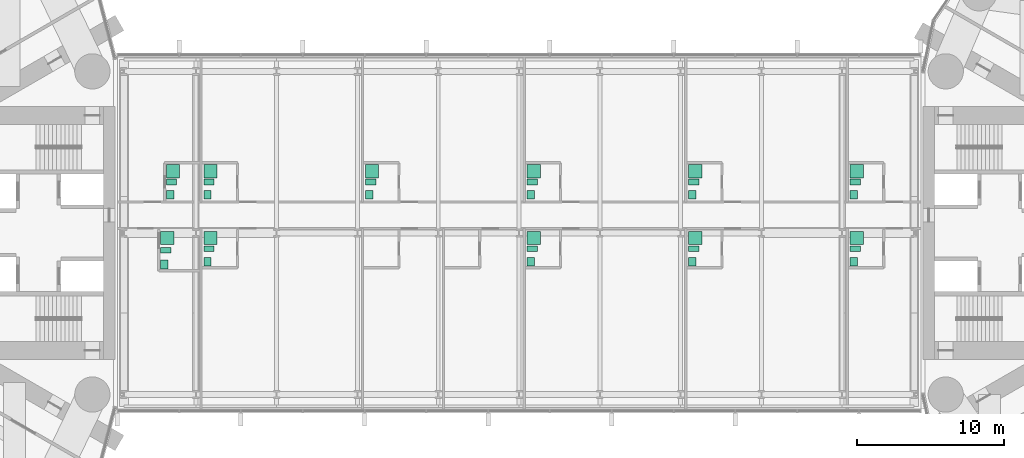
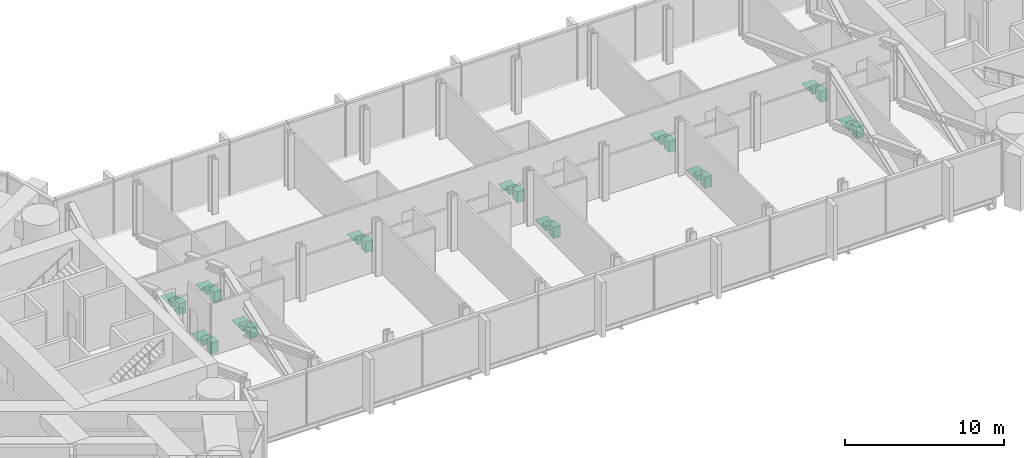
# One storey, part 23 of 23: 13 sanitary terminals.
"""IFC4 building model written with IfcOpenShell, lengths in metres."""

import ifcopenshell
import ifcopenshell.guid

model = None  # the IFC model being written
_history = None  # IfcOwnerHistory: only IFC2X3 demands one
_inside = {}  # id of a spatial element -> (the spatial element, [elements in it])
_under = {}  # id of a project, library or spatial element -> (it, [spatial elements below it])
_declared = {}  # id of a project -> (the project, [libraries it declares])
_typed = {}  # id of a type object -> (the type object, [elements of that type])
_made_of = {}  # id of a material, layer set ... -> (it, [elements and type objects made of it])


def new_model(schema):
    """Start an empty IFC model of exactly this schema.

    Asked for "IFC4X3", IfcOpenShell would pick the latest addendum, in which some entities
    have other attributes; the version numbers below select the first issue.
    IFC2X3 requires an IfcOwnerHistory on every rooted entity: one is made here for all.
    """
    global model, _history
    if schema == "IFC4X3":
        model = ifcopenshell.file(schema_version=(4, 3, 0, 0))
    else:
        model = ifcopenshell.file(schema=schema)
    _inside.clear()
    _under.clear()
    _declared.clear()
    _typed.clear()
    _made_of.clear()
    _history = None
    if model.schema == "IFC2X3":
        org = make("IfcOrganization", Name="unknown")
        user = make(
            "IfcPersonAndOrganization",
            ThePerson=make("IfcPerson", FamilyName="unknown"),
            TheOrganization=org,
        )
        app = make(
            "IfcApplication",
            ApplicationDeveloper=org,
            Version="unknown",
            ApplicationFullName="unknown",
            ApplicationIdentifier="unknown",
        )
        _history = make(
            "IfcOwnerHistory",
            OwningUser=user,
            OwningApplication=app,
            ChangeAction="ADDED",
            CreationDate=0,
        )
    return model


def make(cls, **values):
    """One entity of the class cls with the attributes given. An attribute that is None is left unset."""
    return model.create_entity(
        cls, **{name: value for name, value in values.items() if value is not None}
    )


def rooted(cls, **values):
    """An entity with a GlobalId (a new one), such as an element, a storey or a relation."""
    return make(cls, GlobalId=ifcopenshell.guid.new(), OwnerHistory=_history, **values)


def si_unit(unit_type, name, prefix=None):
    """IfcSIUnit, for example si_unit("LENGTHUNIT", "METRE", prefix="MILLI")."""
    return make("IfcSIUnit", UnitType=unit_type, Prefix=prefix, Name=name)


def assignment(units):
    """IfcUnitAssignment: the units of a project."""
    return None if units is None else make("IfcUnitAssignment", Units=units)


def point(xyz):
    """IfcCartesianPoint."""
    return None if xyz is None else make("IfcCartesianPoint", Coordinates=xyz)


def direction(xyz):
    """IfcDirection."""
    return None if xyz is None else make("IfcDirection", DirectionRatios=xyz)


def frame(location, z_axis=None, x_axis=None):
    """IfcAxis2Placement3D, a coordinate frame: its origin and axes. An axis left out is left unset."""
    return make(
        "IfcAxis2Placement3D",
        Location=point(location),
        Axis=direction(z_axis),
        RefDirection=direction(x_axis),
    )


def frame_2d(location, x_axis=None):
    """IfcAxis2Placement2D, a coordinate frame in the plane: its origin and x axis."""
    return make(
        "IfcAxis2Placement2D", Location=point(location), RefDirection=direction(x_axis)
    )


def origin():
    """The frame at (0, 0, 0) with its axes left unset."""
    return frame((0.0, 0.0, 0.0))


def origin_2d():
    """The frame at (0, 0) in the plane with its x axis left unset."""
    return frame_2d((0.0, 0.0))


def place(relative_to, where):
    """IfcLocalPlacement: puts the frame where relative to a parent placement (None: the world)."""
    return make(
        "IfcLocalPlacement", PlacementRelTo=relative_to, RelativePlacement=where
    )


def context(
    kind, dimensions, precision=None, world=None, true_north=None, identifier=None
):
    """IfcGeometricRepresentationContext, for example the 3D "Model" context."""
    return make(
        "IfcGeometricRepresentationContext",
        ContextIdentifier=identifier,
        ContextType=kind,
        CoordinateSpaceDimension=dimensions,
        Precision=precision,
        WorldCoordinateSystem=world,
        TrueNorth=true_north,
    )


def subcontext(parent, identifier, kind, view, scale=None):
    """IfcGeometricRepresentationSubContext, for example "Body" below "Model"."""
    return make(
        "IfcGeometricRepresentationSubContext",
        ContextIdentifier=identifier,
        ContextType=kind,
        ParentContext=parent,
        TargetScale=scale,
        TargetView=view,
    )


def project(units=None, contexts=None):
    """IfcProject with its units and contexts."""
    return rooted(
        "IfcProject",
        Name="project",
        RepresentationContexts=contexts,
        UnitsInContext=assignment(units),
    )


def spatial(cls, under=None, at=None, **own):
    """A site, building, storey or space (cls), placed at a placement, below another one or the project."""
    s = rooted(cls, ObjectPlacement=at, **own)
    if under is not None:
        _under.setdefault(under.id(), (under, []))[1].append(s)
    return s


def profile(cls, at=None, kind="AREA", **sizes):
    """A parametric profile (cls). Its sizes go by their IFC names, for example OverallWidth=200.0."""
    return make(cls, ProfileType=kind, Position=at, **sizes)


def rectangle(**sizes):
    """IfcRectangleProfileDef."""
    return profile("IfcRectangleProfileDef", **sizes)


def extrude(swept, where, along, depth):
    """IfcExtrudedAreaSolid: the profile swept, set in the frame where, extruded along a direction by depth."""
    return make(
        "IfcExtrudedAreaSolid",
        SweptArea=swept,
        Position=where,
        ExtrudedDirection=direction(along),
        Depth=depth,
    )


def shape(context_of_items, identifier, shape_type, items):
    """IfcShapeRepresentation: the items that make up one representation, for example the "Body"."""
    return make(
        "IfcShapeRepresentation",
        ContextOfItems=context_of_items,
        RepresentationIdentifier=identifier,
        RepresentationType=shape_type,
        Items=items,
    )


def material(Name=None, Category=None):
    """IfcMaterial."""
    return make("IfcMaterial", Name=Name, Category=Category)


def made_of(thing, what):
    """Note that an element or type object is made of a material, layer set ...; save() writes the relation."""
    if what is not None:
        _made_of.setdefault(what.id(), (what, []))[1].append(thing)
    return thing


def type_object(cls, material=None, **own):
    """A type object (cls), such as IfcWallType, which elements share."""
    return made_of(rooted(cls, **own), material)


def element(
    cls,
    number,
    at=None,
    inside=None,
    cuts=None,
    type_object=None,
    material=None,
    context=None,
    identifier="Body",
    shape_type=None,
    held_by="IfcProductDefinitionShape",
    body=None,
    shapes=None,
    **own,
):
    """One element of the class cls, such as IfcWall. Its Tag is "e" and its number.

    at: its placement. inside: the storey or other place that contains it. cuts: it is an
    opening in that element (IfcRelVoidsElement). A single representation is given by context,
    identifier, shape_type and body (its items); several are given by shapes. held_by: the class
    of the entity that holds the representations. save() writes the other relations.
    """
    e = rooted(cls, Tag="e%d" % number, ObjectPlacement=at, **own)
    if body is not None:
        shapes = [shape(context, identifier, shape_type, body)]
    if shapes is not None:
        e.Representation = make(held_by, Representations=shapes)
    if inside is not None:
        _inside.setdefault(inside.id(), (inside, []))[1].append(e)
    if cuts is not None:
        rooted(
            "IfcRelVoidsElement", RelatingBuildingElement=cuts, RelatedOpeningElement=e
        )
    if type_object is not None:
        _typed.setdefault(type_object.id(), (type_object, []))[1].append(e)
    return made_of(e, material)


def aggregate(whole, parts):
    """IfcRelAggregates: a whole, such as a stair, and the parts it consists of."""
    return rooted("IfcRelAggregates", RelatingObject=whole, RelatedObjects=parts)


def save(model, path):
    """Write the relations noted so far, then the file.

    IfcRelAggregates (storeys below a building ...), IfcRelContainedInSpatialStructure (elements
    in a storey), IfcRelDefinesByType, IfcRelAssociatesMaterial and IfcRelDeclares: one each for
    every whole, place, type object, material and project.
    """
    for whole, parts in _under.values():
        aggregate(whole, parts)
    for where, things in _inside.values():
        rooted(
            "IfcRelContainedInSpatialStructure",
            RelatedElements=things,
            RelatingStructure=where,
        )
    for kind, things in _typed.values():
        rooted("IfcRelDefinesByType", RelatedObjects=things, RelatingType=kind)
    for what, things in _made_of.values():
        rooted("IfcRelAssociatesMaterial", RelatedObjects=things, RelatingMaterial=what)
    for by, libraries in _declared.values():
        rooted("IfcRelDeclares", RelatingContext=by, RelatedDefinitions=libraries)
    model.write(path)


model = new_model("IFC4")

# Units and contexts
model_context = context("Model", 3, precision=1e-05, world=origin(), true_north=direction((0.0, 1.0)))
body_context = subcontext(model_context, "Body", "Model", "MODEL_VIEW")
ifc_project = project(units=[si_unit("LENGTHUNIT", "METRE"), si_unit("AREAUNIT", "SQUARE_METRE"), si_unit("VOLUMEUNIT", "CUBIC_METRE"), si_unit("PLANEANGLEUNIT", "RADIAN"), si_unit("MASSUNIT", "GRAM", prefix="KILO")], contexts=[model_context])

# Site, building, storey
site_placement = place(None, origin())
site = spatial("IfcSite", under=ifc_project, at=site_placement, CompositionType="ELEMENT")
building_placement = place(site_placement, origin())
building = spatial("IfcBuilding", under=site, at=building_placement, Name="Lancet Gate Hotel", CompositionType="ELEMENT")
storey_placement = place(building_placement, frame((0.0, 0.0, 247.699951171875)))
storey = spatial("IfcBuildingStorey", under=building, at=storey_placement, Name="L66", CompositionType="ELEMENT", Elevation=247.699951171875)

# Sanitary terminals
ifc_material_1 = material(Name="Vitreous china sanitary ware")
sanitary_terminal_type_1 = type_object("IfcSanitaryTerminalType", Name="En-suite sanitary set (shower, WC, basin)", PredefinedType="USERDEFINED", material=ifc_material_1)
for number, where, z_axis, x_axis, name in (
    (1, (-21.0048828125, -0.344970703125, 0.0), (0.0, 0.0, 1.0), (1.0, 0.0, 0.0), "En-suite sanitary set (shower, WC, basin) B6602"),
    (2, (0.9951171875, -0.344970703125, 0.0), (0.0, 0.0, 1.0), (1.0, 0.0, 0.0), "En-suite sanitary set (shower, WC, basin) B6606"),
    (3, (11.9951171875, -0.344970703125, 0.0), (0.0, 0.0, 1.0), (1.0, 0.0, 0.0), "En-suite sanitary set (shower, WC, basin) B6608"),
    (4, (22.9951171875, -0.344970703125, 0.0), (0.0, 0.0, 1.0), (1.0, 0.0, 0.0), "En-suite sanitary set (shower, WC, basin) B6610"),
):
    element("IfcSanitaryTerminal", number, at=place(storey_placement, frame(where, z_axis=z_axis, x_axis=x_axis)), inside=storey, type_object=sanitary_terminal_type_1, Name=name, ObjectType="EN-SUITE SANITARY SET", PredefinedType="USERDEFINED", context=body_context, shape_type="SweptSolid", body=[
        extrude(rectangle(XDim=0.89990234375, YDim=0.89990234375, at=origin_2d()), frame((0.0, 0.0, 0.0), z_axis=(0.0, 0.0, 1.0), x_axis=(0.0, 1.0, 0.0)), (0.0, 0.0, 1.0), 0.050048828125),
        extrude(rectangle(XDim=0.39990234375, YDim=0.699951171875, at=origin_2d()), frame((-0.10009765625, -0.72998046875, 0.0), z_axis=(0.0, 0.0, 1.0), x_axis=(0.0, 1.0, 0.0)), (0.0, 0.0, 1.0), 0.39990234375),
        extrude(rectangle(XDim=0.60009765625, YDim=0.5, at=origin_2d()), frame((-0.2001953125, -1.610107421875, 0.0), z_axis=(0.0, 0.0, 1.0), x_axis=(0.0, 1.0, 0.0)), (0.0, 0.0, 1.0), 0.85009765625),
    ])
sanitary_terminal_1_placement = place(storey_placement, frame((-23.554931640625, 4.205078125, 0.0), z_axis=(0.0, 0.0, 1.0), x_axis=(1.0, 0.0, 0.0)))
element("IfcSanitaryTerminal", 5, at=sanitary_terminal_1_placement, inside=storey, type_object=sanitary_terminal_type_1, Name="En-suite sanitary set (shower, WC, basin) B6611", ObjectType="EN-SUITE SANITARY SET", PredefinedType="USERDEFINED", context=body_context, shape_type="SweptSolid", body=[
    extrude(rectangle(XDim=0.89990234375, YDim=0.89990234375, at=origin_2d()), frame((0.0, 0.0, 0.0), z_axis=(0.0, 0.0, 1.0), x_axis=(0.0, 1.0, 0.0)), (0.0, 0.0, 1.0), 0.050048828125),
    extrude(rectangle(XDim=0.39990234375, YDim=0.699951171875, at=origin_2d()), frame((-0.10009765625, -0.72998046875, 0.0), z_axis=(0.0, 0.0, 1.0), x_axis=(0.0, 1.0, 0.0)), (0.0, 0.0, 1.0), 0.39990234375),
    extrude(rectangle(XDim=0.60009765625, YDim=0.5, at=origin_2d()), frame((-0.199951171875, -1.610107421875, 0.0), z_axis=(0.0, 0.0, 1.0), x_axis=(0.0, 1.0, 0.0)), (0.0, 0.0, 1.0), 0.85009765625),
])
for number, where, z_axis, x_axis, name in (
    (6, (-21.0048828125, 4.205078125, 0.0), (0.0, 0.0, 1.0), (1.0, 0.0, 0.0), "En-suite sanitary set (shower, WC, basin) B6612"),
    (7, (-10.0048828125, 4.205078125, 0.0), (0.0, 0.0, 1.0), (1.0, 0.0, 0.0), "En-suite sanitary set (shower, WC, basin) B6614"),
    (8, (0.9951171875, 4.205078125, 0.0), (0.0, 0.0, 1.0), (1.0, 0.0, 0.0), "En-suite sanitary set (shower, WC, basin) B6616"),
    (9, (11.9951171875, 4.205078125, 0.0), (0.0, 0.0, 1.0), (1.0, 0.0, 0.0), "En-suite sanitary set (shower, WC, basin) B6618"),
    (10, (22.9951171875, 4.205078125, 0.0), (0.0, 0.0, 1.0), (1.0, 0.0, 0.0), "En-suite sanitary set (shower, WC, basin) B6620"),
):
    element("IfcSanitaryTerminal", number, at=place(storey_placement, frame(where, z_axis=z_axis, x_axis=x_axis)), inside=storey, type_object=sanitary_terminal_type_1, Name=name, ObjectType="EN-SUITE SANITARY SET", PredefinedType="USERDEFINED", context=body_context, shape_type="SweptSolid", body=[
        extrude(rectangle(XDim=0.89990234375, YDim=0.89990234375, at=origin_2d()), frame((0.0, 0.0, 0.0), z_axis=(0.0, 0.0, 1.0), x_axis=(0.0, 1.0, 0.0)), (0.0, 0.0, 1.0), 0.050048828125),
        extrude(rectangle(XDim=0.39990234375, YDim=0.699951171875, at=origin_2d()), frame((-0.10009765625, -0.72998046875, 0.0), z_axis=(0.0, 0.0, 1.0), x_axis=(0.0, 1.0, 0.0)), (0.0, 0.0, 1.0), 0.39990234375),
        extrude(rectangle(XDim=0.60009765625, YDim=0.5, at=origin_2d()), frame((-0.2001953125, -1.610107421875, 0.0), z_axis=(0.0, 0.0, 1.0), x_axis=(0.0, 1.0, 0.0)), (0.0, 0.0, 1.0), 0.85009765625),
    ])
ifc_material_2 = material(Name="Stone resin shower tray", Category="masonry")
sanitary_terminal_type_2 = type_object("IfcSanitaryTerminalType", Name="Shower tray 900", PredefinedType="SHOWER", material=ifc_material_2)
sanitary_terminal_2_placement = place(storey_placement, frame((-23.955078125, -0.344970703125, 0.0), z_axis=(0.0, 0.0, 1.0), x_axis=(0.0, 1.0, 0.0)))
element("IfcSanitaryTerminal", 11, at=sanitary_terminal_2_placement, inside=storey, type_object=sanitary_terminal_type_2, Name="Shower tray 900 B6601", PredefinedType="SHOWER", context=body_context, shape_type="SweptSolid", body=[
    extrude(rectangle(XDim=0.89990234375, YDim=0.89990234375, at=origin_2d()), origin(), (0.0, 0.0, 1.0), 0.050048828125),
])
ifc_material_3 = material(Name="Vitreous china sanitary ware")
sanitary_terminal_type_3 = type_object("IfcSanitaryTerminalType", Name="Vanity basin 600", PredefinedType="WASHHANDBASIN", material=ifc_material_3)
sanitary_terminal_3_placement = place(storey_placement, frame((-24.155029296875, -2.155029296875, 0.0), z_axis=(0.0, 0.0, 1.0), x_axis=(0.0, 1.0, 0.0)))
element("IfcSanitaryTerminal", 12, at=sanitary_terminal_3_placement, inside=storey, type_object=sanitary_terminal_type_3, Name="Vanity basin 600 B6601", PredefinedType="WASHHANDBASIN", context=body_context, shape_type="SweptSolid", body=[
    extrude(rectangle(XDim=0.60009765625, YDim=0.5, at=origin_2d()), origin(), (0.0, 0.0, 1.0), 0.85009765625),
])
ifc_material_4 = material(Name="Vitreous china sanitary ware")
sanitary_terminal_type_4 = type_object("IfcSanitaryTerminalType", Name="WC pan wall hung", PredefinedType="TOILETPAN", material=ifc_material_4)
sanitary_terminal_4_placement = place(storey_placement, frame((-24.054931640625, -1.175048828125, 0.0), z_axis=(0.0, 0.0, 1.0), x_axis=(0.0, 1.0, 0.0)))
element("IfcSanitaryTerminal", 13, at=sanitary_terminal_4_placement, inside=storey, type_object=sanitary_terminal_type_4, Name="WC pan wall hung B6601", PredefinedType="TOILETPAN", context=body_context, shape_type="SweptSolid", body=[
    extrude(rectangle(XDim=0.39990234375, YDim=0.699951171875, at=origin_2d()), origin(), (0.0, 0.0, 1.0), 0.39990234375),
])

save(model, "model.ifc")
